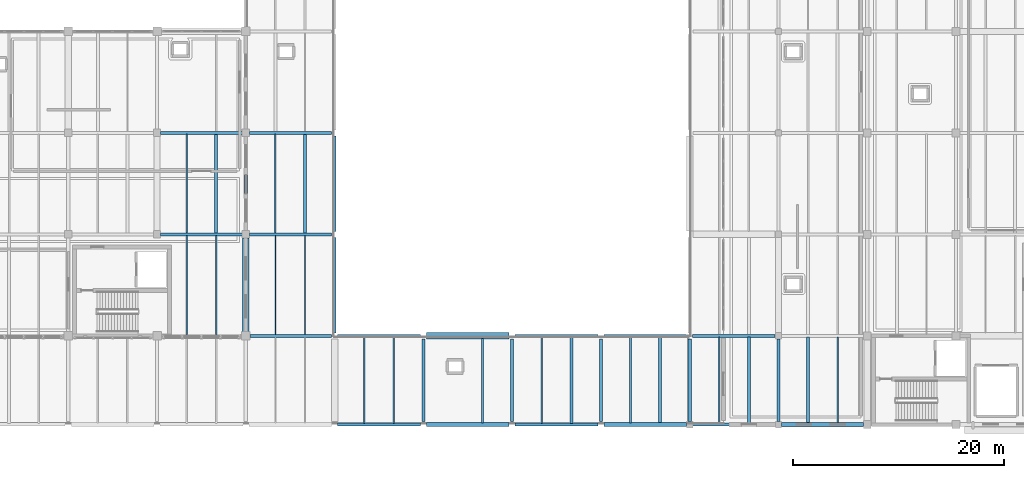
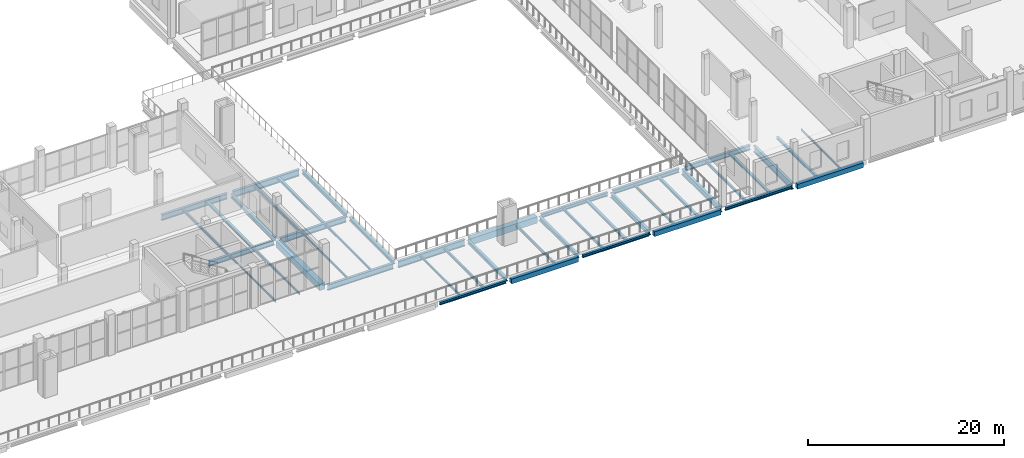
# One storey, part 21 of 77: 44 beams.
"""IFC4 building model written with IfcOpenShell, lengths in metres."""

from ifc_helpers import new_model, si_unit, direction, frame, origin, origin_2d, place, context, subcontext, project, spatial, rectangle, i_section, extrude, material, material_profile, profile_set, type_object, element, save


model = new_model("IFC4")

# Units and contexts
model_context = context("Model", 3, precision=1e-05, world=origin(), true_north=direction((0.0, 1.0)))
body_context = subcontext(model_context, "Body", "Model", "MODEL_VIEW")
ifc_project = project(units=[si_unit("LENGTHUNIT", "METRE"), si_unit("AREAUNIT", "SQUARE_METRE"), si_unit("VOLUMEUNIT", "CUBIC_METRE"), si_unit("PLANEANGLEUNIT", "RADIAN"), si_unit("MASSUNIT", "GRAM", prefix="KILO")], contexts=[model_context])

# Site, building, storey
site_placement = place(None, origin())
site = spatial("IfcSite", under=ifc_project, at=site_placement, CompositionType="ELEMENT")
building_placement = place(site_placement, origin())
building = spatial("IfcBuilding", under=site, at=building_placement, Name="Zulmaris Art Gallery", CompositionType="ELEMENT")
storey_placement = place(building_placement, frame((0.0, 0.0, 15.60009765625)))
storey = spatial("IfcBuildingStorey", under=building, at=storey_placement, Name="L03", CompositionType="ELEMENT", Elevation=15.60009765625)

# Beams
ifc_material_1 = material(Name="Steel S355J2", Category="steel")
ifc_material_profile_1 = material_profile(ifc_material_1, i_section(OverallWidth=0.300048828125, OverallDepth=0.43994140625, WebThickness=0.011474609375, FlangeThickness=0.02099609375, FilletRadius=0.027099609375, at=origin_2d()), Name="HEA 450")
ifc_profile_set_1 = profile_set([ifc_material_profile_1], Name="Steel S355J2")
beam_type_1 = type_object("IfcBeamType", Name="BEAM-BM10", PredefinedType="BEAM", material=ifc_profile_set_1)
beam_1_placement = place(storey_placement, frame((108.284912109375, 21.60009765625, -0.6201171875), z_axis=(1.0, 0.0, 0.0), x_axis=(0.0, 1.0, 0.0)))
element("IfcBeam", 1, at=beam_1_placement, inside=storey, type_object=beam_type_1, Name="L03 X-girder (108.0..116.4, y=21.6)", PredefinedType="BEAM", context=body_context, shape_type="SweptSolid", body=[
    extrude(i_section(OverallWidth=0.300048828125, OverallDepth=0.43994140625, WebThickness=0.011474609375, FlangeThickness=0.02099609375, FilletRadius=0.027099609375, at=origin_2d()), origin(), (0.0, 0.0, 1.0), 7.830078125),
])
beam_2_placement = place(storey_placement, frame((82.800048828125, 31.534912109375, -0.6201171875), z_axis=(0.0, 1.0, 0.0), x_axis=(-1.0, 0.0, 0.0)))
element("IfcBeam", 2, at=beam_2_placement, inside=storey, type_object=beam_type_1, Name="L03 Y-girder (x=82.8, 31.2..40.8)", PredefinedType="BEAM", context=body_context, shape_type="SweptSolid", body=[
    extrude(i_section(OverallWidth=0.300048828125, OverallDepth=0.43994140625, WebThickness=0.011474609375, FlangeThickness=0.02099609375, FilletRadius=0.027099609375, at=origin_2d()), origin(), (0.0, 0.0, 1.0), 8.93017578125),
])
beam_3_placement = place(storey_placement, frame((91.199951171875, 21.885009765625, -0.6201171875), z_axis=(0.0, 1.0, 0.0), x_axis=(-1.0, 0.0, 0.0)))
element("IfcBeam", 3, at=beam_3_placement, inside=storey, type_object=beam_type_1, Name="L03 Y-girder (x=91.2, 21.6..31.2)", PredefinedType="BEAM", context=body_context, shape_type="SweptSolid", body=[
    extrude(i_section(OverallWidth=0.300048828125, OverallDepth=0.43994140625, WebThickness=0.011474609375, FlangeThickness=0.02099609375, FilletRadius=0.027099609375, at=origin_2d()), origin(), (0.0, 0.0, 1.0), 9.030029296875),
])
beam_4_placement = place(storey_placement, frame((99.60009765625, 13.485107421875, -0.6201171875), z_axis=(0.0, 1.0, 0.0), x_axis=(-1.0, 0.0, 0.0)))
element("IfcBeam", 4, at=beam_4_placement, inside=storey, type_object=beam_type_1, Name="L03 Y-girder (x=99.6, 13.2..21.6)", PredefinedType="BEAM", context=body_context, shape_type="SweptSolid", body=[
    extrude(i_section(OverallWidth=0.300048828125, OverallDepth=0.43994140625, WebThickness=0.011474609375, FlangeThickness=0.02099609375, FilletRadius=0.027099609375, at=origin_2d()), origin(), (0.0, 0.0, 1.0), 7.829833984375),
])
ifc_material_profile_2 = material_profile(ifc_material_1, i_section(OverallWidth=0.300048828125, OverallDepth=0.489990234375, WebThickness=0.011962890625, FlangeThickness=0.02294921875, FilletRadius=0.027099609375, at=origin_2d()), Name="HEA 500")
ifc_profile_set_2 = profile_set([ifc_material_profile_2], Name="Steel S355J2")
beam_type_2 = type_object("IfcBeamType", Name="BEAM-BM11", PredefinedType="BEAM", material=ifc_profile_set_2)
beam_5_placement = place(storey_placement, frame((116.68505859375, 21.60009765625, -0.614990234375), z_axis=(1.0, 0.0, 0.0), x_axis=(0.0, 1.0, 0.0)))
element("IfcBeam", 5, at=beam_5_placement, inside=storey, type_object=beam_type_2, Name="L03 X-girder (116.4..124.8, y=21.6)", PredefinedType="BEAM", context=body_context, shape_type="SweptSolid", body=[
    extrude(i_section(OverallWidth=0.300048828125, OverallDepth=0.489990234375, WebThickness=0.011962890625, FlangeThickness=0.02294921875, FilletRadius=0.027099609375, at=origin_2d()), origin(), (0.0, 0.0, 1.0), 7.829833984375),
])
beam_6_placement = place(storey_placement, frame((91.199951171875, 31.485107421875, -0.614990234375), z_axis=(0.0, 1.0, 0.0), x_axis=(-1.0, 0.0, 0.0)))
element("IfcBeam", 6, at=beam_6_placement, inside=storey, type_object=beam_type_2, Name="L03 Y-girder (x=91.2, 31.2..40.8)", PredefinedType="BEAM", context=body_context, shape_type="SweptSolid", body=[
    extrude(i_section(OverallWidth=0.300048828125, OverallDepth=0.489990234375, WebThickness=0.011962890625, FlangeThickness=0.02294921875, FilletRadius=0.027099609375, at=origin_2d()), origin(), (0.0, 0.0, 1.0), 9.02978515625),
])
beam_7_placement = place(storey_placement, frame((108.0, 13.485107421875, -0.614990234375), z_axis=(0.0, 1.0, 0.0), x_axis=(-1.0, 0.0, 0.0)))
element("IfcBeam", 7, at=beam_7_placement, inside=storey, type_object=beam_type_2, Name="L03 Y-girder (x=108.0, 13.2..21.6)", PredefinedType="BEAM", context=body_context, shape_type="SweptSolid", body=[
    extrude(i_section(OverallWidth=0.300048828125, OverallDepth=0.489990234375, WebThickness=0.011962890625, FlangeThickness=0.02294921875, FilletRadius=0.027099609375, at=origin_2d()), origin(), (0.0, 0.0, 1.0), 7.829833984375),
])
ifc_material_profile_3 = material_profile(ifc_material_1, i_section(OverallWidth=0.300048828125, OverallDepth=0.60009765625, WebThickness=0.015380859375, FlangeThickness=0.030029296875, FilletRadius=0.027099609375, at=origin_2d()), Name="HEB 600")
ifc_profile_set_3 = profile_set([ifc_material_profile_3], Name="Steel S355J2")
beam_type_3 = type_object("IfcBeamType", Name="BEAM-BM15", PredefinedType="BEAM", material=ifc_profile_set_3)
beam_8_placement = place(storey_placement, frame((125.0849609375, 21.60009765625, -0.670166015625), z_axis=(1.0, 0.0, 0.0), x_axis=(0.0, 1.0, 0.0)))
element("IfcBeam", 8, at=beam_8_placement, inside=storey, type_object=beam_type_3, Name="L03 X-girder (124.8..133.2, y=21.6)", PredefinedType="BEAM", context=body_context, shape_type="SweptSolid", body=[
    extrude(i_section(OverallWidth=0.300048828125, OverallDepth=0.60009765625, WebThickness=0.015380859375, FlangeThickness=0.030029296875, FilletRadius=0.027099609375, at=origin_2d()), origin(), (0.0, 0.0, 1.0), 7.804931640625),
])
beam_9_placement = place(storey_placement, frame((74.735107421875, 31.199951171875, -0.670166015625), z_axis=(1.0, 0.0, 0.0), x_axis=(0.0, 1.0, 0.0)))
element("IfcBeam", 9, at=beam_9_placement, inside=storey, type_object=beam_type_3, Name="L03 X-girder (74.4..82.8, y=31.2)", PredefinedType="BEAM", context=body_context, shape_type="SweptSolid", body=[
    extrude(i_section(OverallWidth=0.300048828125, OverallDepth=0.60009765625, WebThickness=0.015380859375, FlangeThickness=0.030029296875, FilletRadius=0.027099609375, at=origin_2d()), origin(), (0.0, 0.0, 1.0), 7.72998046875),
])
beam_10_placement = place(storey_placement, frame((116.39990234375, 13.485107421875, -0.670166015625), z_axis=(0.0, 1.0, 0.0), x_axis=(-1.0, 0.0, 0.0)))
element("IfcBeam", 10, at=beam_10_placement, inside=storey, type_object=beam_type_3, Name="L03 Y-girder (x=116.4, 13.2..21.6)", PredefinedType="BEAM", context=body_context, shape_type="SweptSolid", body=[
    extrude(i_section(OverallWidth=0.300048828125, OverallDepth=0.60009765625, WebThickness=0.015380859375, FlangeThickness=0.030029296875, FilletRadius=0.027099609375, at=origin_2d()), origin(), (0.0, 0.0, 1.0), 7.829833984375),
])
ifc_material_profile_4 = material_profile(ifc_material_1, i_section(OverallWidth=0.300048828125, OverallDepth=0.699951171875, WebThickness=0.01708984375, FlangeThickness=0.031982421875, FilletRadius=0.027099609375, at=origin_2d()), Name="HEB 700")
ifc_profile_set_4 = profile_set([ifc_material_profile_4], Name="Steel S355J2")
beam_type_4 = type_object("IfcBeamType", Name="BEAM-BM16", PredefinedType="BEAM", material=ifc_profile_set_4)
beam_11_placement = place(storey_placement, frame((83.18505859375, 21.60009765625, -0.72021484375), z_axis=(1.0, 0.0, 0.0), x_axis=(0.0, 1.0, 0.0)))
element("IfcBeam", 11, at=beam_11_placement, inside=storey, type_object=beam_type_4, Name="L03 X-girder (82.8..91.2, y=21.6)", PredefinedType="BEAM", context=body_context, shape_type="SweptSolid", body=[
    extrude(i_section(OverallWidth=0.300048828125, OverallDepth=0.699951171875, WebThickness=0.01708984375, FlangeThickness=0.031982421875, FilletRadius=0.027099609375, at=origin_2d()), origin(), (0.0, 0.0, 1.0), 7.72998046875),
])
beam_12_placement = place(storey_placement, frame((83.135009765625, 31.199951171875, -0.72021484375), z_axis=(1.0, 0.0, 0.0), x_axis=(0.0, 1.0, 0.0)))
element("IfcBeam", 12, at=beam_12_placement, inside=storey, type_object=beam_type_4, Name="L03 X-girder (82.8..91.2, y=31.2)", PredefinedType="BEAM", context=body_context, shape_type="SweptSolid", body=[
    extrude(i_section(OverallWidth=0.300048828125, OverallDepth=0.699951171875, WebThickness=0.01708984375, FlangeThickness=0.031982421875, FilletRadius=0.027099609375, at=origin_2d()), origin(), (0.0, 0.0, 1.0), 7.780029296875),
])
beam_13_placement = place(storey_placement, frame((74.735107421875, 40.800048828125, -0.72021484375), z_axis=(1.0, 0.0, 0.0), x_axis=(0.0, 1.0, 0.0)))
element("IfcBeam", 13, at=beam_13_placement, inside=storey, type_object=beam_type_4, Name="L03 X-girder (74.4..82.8, y=40.8)", PredefinedType="BEAM", context=body_context, shape_type="SweptSolid", body=[
    extrude(i_section(OverallWidth=0.300048828125, OverallDepth=0.699951171875, WebThickness=0.01708984375, FlangeThickness=0.031982421875, FilletRadius=0.027099609375, at=origin_2d()), origin(), (0.0, 0.0, 1.0), 7.72998046875),
])
beam_14_placement = place(storey_placement, frame((124.800048828125, 13.485107421875, -0.72021484375), z_axis=(0.0, 1.0, 0.0), x_axis=(-1.0, 0.0, 0.0)))
element("IfcBeam", 14, at=beam_14_placement, inside=storey, type_object=beam_type_4, Name="L03 Y-girder (x=124.8, 13.2..21.6)", PredefinedType="BEAM", context=body_context, shape_type="SweptSolid", body=[
    extrude(i_section(OverallWidth=0.300048828125, OverallDepth=0.699951171875, WebThickness=0.01708984375, FlangeThickness=0.031982421875, FilletRadius=0.027099609375, at=origin_2d()), origin(), (0.0, 0.0, 1.0), 7.829833984375),
])
ifc_material_profile_5 = material_profile(ifc_material_1, i_section(OverallWidth=0.300048828125, OverallDepth=0.800048828125, WebThickness=0.017578125, FlangeThickness=0.032958984375, FilletRadius=0.030029296875, at=origin_2d()), Name="HEB 800")
ifc_profile_set_5 = profile_set([ifc_material_profile_5], Name="Steel S355J2")
beam_type_5 = type_object("IfcBeamType", Name="BEAM-BM17", PredefinedType="BEAM", material=ifc_profile_set_5)
beam_15_placement = place(storey_placement, frame((91.485107421875, 21.60009765625, -0.77001953125), z_axis=(1.0, 0.0, 0.0), x_axis=(0.0, 1.0, 0.0)))
element("IfcBeam", 15, at=beam_15_placement, inside=storey, type_object=beam_type_5, Name="L03 X-girder (91.2..99.6, y=21.6)", PredefinedType="BEAM", context=body_context, shape_type="SweptSolid", body=[
    extrude(i_section(OverallWidth=0.300048828125, OverallDepth=0.800048828125, WebThickness=0.017578125, FlangeThickness=0.032958984375, FilletRadius=0.030029296875, at=origin_2d()), origin(), (0.0, 0.0, 1.0), 7.829833984375),
])
for number, where, z_axis, x_axis, name in (
    (16, (83.135009765625, 40.800048828125, -0.77001953125), (1.0, 0.0, 0.0), (0.0, 1.0, 0.0), "L03 X-girder (82.8..91.2, y=40.8)"),
    (17, (133.199951171875, 13.510009765625, -0.77001953125), (0.0, 1.0, 0.0), (-1.0, 0.0, 0.0), "L03 Y-girder (x=133.2, 13.2..21.6)"),
):
    element("IfcBeam", number, at=place(storey_placement, frame(where, z_axis=z_axis, x_axis=x_axis)), inside=storey, type_object=beam_type_5, Name=name, PredefinedType="BEAM", context=body_context, shape_type="SweptSolid", body=[
        extrude(i_section(OverallWidth=0.300048828125, OverallDepth=0.800048828125, WebThickness=0.017578125, FlangeThickness=0.032958984375, FilletRadius=0.030029296875, at=origin_2d()), origin(), (0.0, 0.0, 1.0), 7.780029296875),
    ])
ifc_material_2 = material(Name="Concrete C40/50", Category="concrete")
ifc_material_profile_6 = material_profile(ifc_material_2, rectangle(XDim=0.60009765625, YDim=0.800048828125, at=origin_2d()), Name="RC 600x800")
ifc_profile_set_6 = profile_set([ifc_material_profile_6], Name="Concrete C40/50")
beam_type_6 = type_object("IfcBeamType", Name="BEAM-BM27", PredefinedType="BEAM", material=ifc_profile_set_6)
beam_16_placement = place(storey_placement, frame((99.885009765625, 21.60009765625, -0.77001953125), z_axis=(1.0, 0.0, 0.0), x_axis=(0.0, 1.0, 0.0)))
element("IfcBeam", 18, at=beam_16_placement, inside=storey, type_object=beam_type_6, Name="L03 X-girder (99.6..108.0, y=21.6)", PredefinedType="BEAM", context=body_context, shape_type="SweptSolid", body=[
    extrude(rectangle(XDim=0.60009765625, YDim=0.800048828125, at=origin_2d()), origin(), (0.0, 0.0, 1.0), 7.830078125),
])
beam_17_placement = place(storey_placement, frame((82.800048828125, 21.985107421875, -0.77001953125), z_axis=(0.0, 1.0, 0.0), x_axis=(-1.0, 0.0, 0.0)))
element("IfcBeam", 19, at=beam_17_placement, inside=storey, type_object=beam_type_6, Name="L03 Y-girder (x=82.8, 21.6..31.2)", PredefinedType="BEAM", context=body_context, shape_type="SweptSolid", body=[
    extrude(rectangle(XDim=0.60009765625, YDim=0.800048828125, at=origin_2d()), origin(), (0.0, 0.0, 1.0), 8.8798828125),
])
ifc_material_profile_7 = material_profile(ifc_material_1, i_section(OverallWidth=0.1201171875, OverallDepth=0.239990234375, WebThickness=0.006103515625, FlangeThickness=0.009765625, FilletRadius=0.014892578125, at=origin_2d()), Name="IPE 240")
ifc_profile_set_7 = profile_set([ifc_material_profile_7], Name="Steel S355J2")
beam_type_7 = type_object("IfcBeamType", Name="BEAM-JS01", PredefinedType="JOIST", material=ifc_profile_set_7)
for number, where, z_axis, x_axis, name in (
    (20, (77.199951171875, 21.72509765625, -0.489990234375), (0.0, 1.0, 0.0), (-1.0, 0.0, 0.0), "L03 secondary joist at x=77.2"),
    (21, (85.60009765625, 21.72509765625, -0.489990234375), (0.0, 1.0, 0.0), (-1.0, 0.0, 0.0), "L03 secondary joist at x=85.6"),
):
    element("IfcBeam", number, at=place(storey_placement, frame(where, z_axis=z_axis, x_axis=x_axis)), inside=storey, type_object=beam_type_7, Name=name, PredefinedType="JOIST", context=body_context, shape_type="SweptSolid", body=[
        extrude(i_section(OverallWidth=0.1201171875, OverallDepth=0.239990234375, WebThickness=0.006103515625, FlangeThickness=0.009765625, FilletRadius=0.014892578125, at=origin_2d()), origin(), (0.0, 0.0, 1.0), 9.349853515625),
    ])
beam_18_placement = place(storey_placement, frame((138.800048828125, 13.375, -0.489990234375), z_axis=(0.0, 1.0, 0.0), x_axis=(-1.0, 0.0, 0.0)))
element("IfcBeam", 22, at=beam_18_placement, inside=storey, type_object=beam_type_7, Name="L03 secondary joist at x=138.8", PredefinedType="JOIST", context=body_context, shape_type="SweptSolid", body=[
    extrude(i_section(OverallWidth=0.1201171875, OverallDepth=0.239990234375, WebThickness=0.006103515625, FlangeThickness=0.009765625, FilletRadius=0.014892578125, at=origin_2d()), origin(), (0.0, 0.0, 1.0), 8.10009765625),
])
ifc_material_profile_8 = material_profile(ifc_material_1, i_section(OverallWidth=0.135009765625, OverallDepth=0.27001953125, WebThickness=0.006591796875, FlangeThickness=0.01025390625, FilletRadius=0.014892578125, at=origin_2d()), Name="IPE 270")
ifc_profile_set_8 = profile_set([ifc_material_profile_8], Name="Steel S355J2")
beam_type_8 = type_object("IfcBeamType", Name="BEAM-JS02", PredefinedType="JOIST", material=ifc_profile_set_8)
for number, where, z_axis, x_axis, name in (
    (23, (80.0, 21.72509765625, -0.505126953125), (0.0, 1.0, 0.0), (-1.0, 0.0, 0.0), "L03 secondary joist at x=80.0"),
    (24, (88.39990234375, 21.72509765625, -0.505126953125), (0.0, 1.0, 0.0), (-1.0, 0.0, 0.0), "L03 secondary joist at x=88.4"),
):
    element("IfcBeam", number, at=place(storey_placement, frame(where, z_axis=z_axis, x_axis=x_axis)), inside=storey, type_object=beam_type_8, Name=name, PredefinedType="JOIST", context=body_context, shape_type="SweptSolid", body=[
        extrude(i_section(OverallWidth=0.135009765625, OverallDepth=0.27001953125, WebThickness=0.006591796875, FlangeThickness=0.01025390625, FilletRadius=0.014892578125, at=origin_2d()), origin(), (0.0, 0.0, 1.0), 9.349853515625),
    ])
beam_19_placement = place(storey_placement, frame((94.0, 13.324951171875, -0.505126953125), z_axis=(0.0, 1.0, 0.0), x_axis=(-1.0, 0.0, 0.0)))
element("IfcBeam", 25, at=beam_19_placement, inside=storey, type_object=beam_type_8, Name="L03 secondary joist at x=94.0", PredefinedType="JOIST", context=body_context, shape_type="SweptSolid", body=[
    extrude(i_section(OverallWidth=0.135009765625, OverallDepth=0.27001953125, WebThickness=0.006591796875, FlangeThickness=0.01025390625, FilletRadius=0.014892578125, at=origin_2d()), origin(), (0.0, 0.0, 1.0), 8.150146484375),
])
ifc_material_profile_9 = material_profile(ifc_material_1, i_section(OverallWidth=0.159912109375, OverallDepth=0.330078125, WebThickness=0.007568359375, FlangeThickness=0.011474609375, FilletRadius=0.01806640625, at=origin_2d()), Name="IPE 330")
ifc_profile_set_9 = profile_set([ifc_material_profile_9], Name="Steel S355J2")
beam_type_9 = type_object("IfcBeamType", Name="BEAM-JS03", PredefinedType="JOIST", material=ifc_profile_set_9)
for number, where, z_axis, x_axis, name in (
    (26, (77.199951171875, 31.324951171875, -0.53515625), (0.0, 1.0, 0.0), (-1.0, 0.0, 0.0), "L03 secondary joist at x=77.2"),
    (27, (85.60009765625, 31.324951171875, -0.53515625), (0.0, 1.0, 0.0), (-1.0, 0.0, 0.0), "L03 secondary joist at x=85.6"),
):
    element("IfcBeam", number, at=place(storey_placement, frame(where, z_axis=z_axis, x_axis=x_axis)), inside=storey, type_object=beam_type_9, Name=name, PredefinedType="JOIST", context=body_context, shape_type="SweptSolid", body=[
        extrude(i_section(OverallWidth=0.159912109375, OverallDepth=0.330078125, WebThickness=0.007568359375, FlangeThickness=0.011474609375, FilletRadius=0.01806640625, at=origin_2d()), origin(), (0.0, 0.0, 1.0), 9.35009765625),
    ])
beam_20_placement = place(storey_placement, frame((96.800048828125, 13.324951171875, -0.53515625), z_axis=(0.0, 1.0, 0.0), x_axis=(-1.0, 0.0, 0.0)))
element("IfcBeam", 28, at=beam_20_placement, inside=storey, type_object=beam_type_9, Name="L03 secondary joist at x=96.8", PredefinedType="JOIST", context=body_context, shape_type="SweptSolid", body=[
    extrude(i_section(OverallWidth=0.159912109375, OverallDepth=0.330078125, WebThickness=0.007568359375, FlangeThickness=0.011474609375, FilletRadius=0.01806640625, at=origin_2d()), origin(), (0.0, 0.0, 1.0), 8.150146484375),
])
beam_21_placement = place(storey_placement, frame((105.199951171875, 13.375, -0.53515625), z_axis=(0.0, 1.0, 0.0), x_axis=(-1.0, 0.0, 0.0)))
element("IfcBeam", 29, at=beam_21_placement, inside=storey, type_object=beam_type_9, Name="L03 secondary joist at x=105.2", PredefinedType="JOIST", context=body_context, shape_type="SweptSolid", body=[
    extrude(i_section(OverallWidth=0.159912109375, OverallDepth=0.330078125, WebThickness=0.007568359375, FlangeThickness=0.011474609375, FilletRadius=0.01806640625, at=origin_2d()), origin(), (0.0, 0.0, 1.0), 7.949951171875),
])
beam_22_placement = place(storey_placement, frame((110.800048828125, 13.324951171875, -0.53515625), z_axis=(0.0, 1.0, 0.0), x_axis=(-1.0, 0.0, 0.0)))
element("IfcBeam", 30, at=beam_22_placement, inside=storey, type_object=beam_type_9, Name="L03 secondary joist at x=110.8", PredefinedType="JOIST", context=body_context, shape_type="SweptSolid", body=[
    extrude(i_section(OverallWidth=0.159912109375, OverallDepth=0.330078125, WebThickness=0.007568359375, FlangeThickness=0.011474609375, FilletRadius=0.01806640625, at=origin_2d()), origin(), (0.0, 0.0, 1.0), 8.150146484375),
])
beam_23_placement = place(storey_placement, frame((119.199951171875, 13.375, -0.53515625), z_axis=(0.0, 1.0, 0.0), x_axis=(-1.0, 0.0, 0.0)))
element("IfcBeam", 31, at=beam_23_placement, inside=storey, type_object=beam_type_9, Name="L03 secondary joist at x=119.2", PredefinedType="JOIST", context=body_context, shape_type="SweptSolid", body=[
    extrude(i_section(OverallWidth=0.159912109375, OverallDepth=0.330078125, WebThickness=0.007568359375, FlangeThickness=0.011474609375, FilletRadius=0.01806640625, at=origin_2d()), origin(), (0.0, 0.0, 1.0), 8.10009765625),
])
beam_24_placement = place(storey_placement, frame((127.60009765625, 13.324951171875, -0.53515625), z_axis=(0.0, 1.0, 0.0), x_axis=(-1.0, 0.0, 0.0)))
element("IfcBeam", 32, at=beam_24_placement, inside=storey, type_object=beam_type_9, Name="L03 secondary joist at x=127.6", PredefinedType="JOIST", context=body_context, shape_type="SweptSolid", body=[
    extrude(i_section(OverallWidth=0.159912109375, OverallDepth=0.330078125, WebThickness=0.007568359375, FlangeThickness=0.011474609375, FilletRadius=0.01806640625, at=origin_2d()), origin(), (0.0, 0.0, 1.0), 8.150146484375),
])
ifc_material_profile_10 = material_profile(ifc_material_1, i_section(OverallWidth=0.280029296875, OverallDepth=0.27001953125, WebThickness=0.008056640625, FlangeThickness=0.012939453125, FilletRadius=0.02392578125, at=origin_2d()), Name="HEA 280")
ifc_profile_set_10 = profile_set([ifc_material_profile_10], Name="Steel S355J2")
beam_type_10 = type_object("IfcBeamType", Name="BEAM-JS04", PredefinedType="JOIST", material=ifc_profile_set_10)
for number, where, z_axis, x_axis, name in (
    (33, (80.0, 31.324951171875, -0.505126953125), (0.0, 1.0, 0.0), (-1.0, 0.0, 0.0), "L03 secondary joist at x=80.0"),
    (34, (88.39990234375, 31.324951171875, -0.505126953125), (0.0, 1.0, 0.0), (-1.0, 0.0, 0.0), "L03 secondary joist at x=88.4"),
):
    element("IfcBeam", number, at=place(storey_placement, frame(where, z_axis=z_axis, x_axis=x_axis)), inside=storey, type_object=beam_type_10, Name=name, PredefinedType="JOIST", context=body_context, shape_type="SweptSolid", body=[
        extrude(i_section(OverallWidth=0.280029296875, OverallDepth=0.27001953125, WebThickness=0.008056640625, FlangeThickness=0.012939453125, FilletRadius=0.02392578125, at=origin_2d()), origin(), (0.0, 0.0, 1.0), 9.35009765625),
    ])
beam_25_placement = place(storey_placement, frame((113.60009765625, 13.324951171875, -0.505126953125), z_axis=(0.0, 1.0, 0.0), x_axis=(-1.0, 0.0, 0.0)))
element("IfcBeam", 35, at=beam_25_placement, inside=storey, type_object=beam_type_10, Name="L03 secondary joist at x=113.6", PredefinedType="JOIST", context=body_context, shape_type="SweptSolid", body=[
    extrude(i_section(OverallWidth=0.280029296875, OverallDepth=0.27001953125, WebThickness=0.008056640625, FlangeThickness=0.012939453125, FilletRadius=0.02392578125, at=origin_2d()), origin(), (0.0, 0.0, 1.0), 8.150146484375),
])
beam_26_placement = place(storey_placement, frame((122.0, 13.375, -0.505126953125), z_axis=(0.0, 1.0, 0.0), x_axis=(-1.0, 0.0, 0.0)))
element("IfcBeam", 36, at=beam_26_placement, inside=storey, type_object=beam_type_10, Name="L03 secondary joist at x=122.0", PredefinedType="JOIST", context=body_context, shape_type="SweptSolid", body=[
    extrude(i_section(OverallWidth=0.280029296875, OverallDepth=0.27001953125, WebThickness=0.008056640625, FlangeThickness=0.012939453125, FilletRadius=0.02392578125, at=origin_2d()), origin(), (0.0, 0.0, 1.0), 8.10009765625),
])
beam_27_placement = place(storey_placement, frame((130.39990234375, 13.324951171875, -0.505126953125), z_axis=(0.0, 1.0, 0.0), x_axis=(-1.0, 0.0, 0.0)))
element("IfcBeam", 37, at=beam_27_placement, inside=storey, type_object=beam_type_10, Name="L03 secondary joist at x=130.4", PredefinedType="JOIST", context=body_context, shape_type="SweptSolid", body=[
    extrude(i_section(OverallWidth=0.280029296875, OverallDepth=0.27001953125, WebThickness=0.008056640625, FlangeThickness=0.012939453125, FilletRadius=0.02392578125, at=origin_2d()), origin(), (0.0, 0.0, 1.0), 8.150146484375),
])
beam_28_placement = place(storey_placement, frame((136.0, 13.375, -0.505126953125), z_axis=(0.0, 1.0, 0.0), x_axis=(-1.0, 0.0, 0.0)))
element("IfcBeam", 38, at=beam_28_placement, inside=storey, type_object=beam_type_10, Name="L03 secondary joist at x=136.0", PredefinedType="JOIST", context=body_context, shape_type="SweptSolid", body=[
    extrude(i_section(OverallWidth=0.280029296875, OverallDepth=0.27001953125, WebThickness=0.008056640625, FlangeThickness=0.012939453125, FilletRadius=0.02392578125, at=origin_2d()), origin(), (0.0, 0.0, 1.0), 8.10009765625),
])
ifc_material_profile_11 = material_profile(ifc_material_1, i_section(OverallWidth=0.300048828125, OverallDepth=0.35009765625, WebThickness=0.010009765625, FlangeThickness=0.017578125, FilletRadius=0.027099609375, at=origin_2d()), Name="HEA 360")
ifc_profile_set_11 = profile_set([ifc_material_profile_11], Name="Steel S355J2")
beam_type_11 = type_object("IfcBeamType", Name="BEAM-SP01", PredefinedType="SPANDREL", material=ifc_profile_set_11)
beam_29_placement = place(storey_placement, frame((91.485107421875, 13.199951171875, -0.545166015625), z_axis=(1.0, 0.0, 0.0), x_axis=(0.0, 1.0, 0.0)))
element("IfcBeam", 39, at=beam_29_placement, inside=storey, type_object=beam_type_11, Name="L03 X-girder (91.2..99.6, y=13.2)", PredefinedType="SPANDREL", context=body_context, shape_type="SweptSolid", body=[
    extrude(i_section(OverallWidth=0.300048828125, OverallDepth=0.35009765625, WebThickness=0.010009765625, FlangeThickness=0.017578125, FilletRadius=0.027099609375, at=origin_2d()), origin(), (0.0, 0.0, 1.0), 7.829833984375),
])
beam_30_placement = place(storey_placement, frame((108.284912109375, 13.199951171875, -0.545166015625), z_axis=(1.0, 0.0, 0.0), x_axis=(0.0, 1.0, 0.0)))
element("IfcBeam", 40, at=beam_30_placement, inside=storey, type_object=beam_type_11, Name="L03 X-girder (108.0..116.4, y=13.2)", PredefinedType="SPANDREL", context=body_context, shape_type="SweptSolid", body=[
    extrude(i_section(OverallWidth=0.300048828125, OverallDepth=0.35009765625, WebThickness=0.010009765625, FlangeThickness=0.017578125, FilletRadius=0.027099609375, at=origin_2d()), origin(), (0.0, 0.0, 1.0), 7.830078125),
])
beam_31_placement = place(storey_placement, frame((125.0849609375, 13.199951171875, -0.545166015625), z_axis=(1.0, 0.0, 0.0), x_axis=(0.0, 1.0, 0.0)))
element("IfcBeam", 41, at=beam_31_placement, inside=storey, type_object=beam_type_11, Name="L03 X-girder (124.8..133.2, y=13.2)", PredefinedType="SPANDREL", context=body_context, shape_type="SweptSolid", body=[
    extrude(i_section(OverallWidth=0.300048828125, OverallDepth=0.35009765625, WebThickness=0.010009765625, FlangeThickness=0.017578125, FilletRadius=0.027099609375, at=origin_2d()), origin(), (0.0, 0.0, 1.0), 7.804931640625),
])
ifc_material_profile_12 = material_profile(ifc_material_2, rectangle(XDim=0.39990234375, YDim=0.60009765625, at=origin_2d()), Name="RC 400x600")
ifc_profile_set_12 = profile_set([ifc_material_profile_12], Name="Concrete C40/50")
beam_type_12 = type_object("IfcBeamType", Name="BEAM-SP03", PredefinedType="SPANDREL", material=ifc_profile_set_12)
beam_32_placement = place(storey_placement, frame((99.885009765625, 13.199951171875, -0.670166015625), z_axis=(1.0, 0.0, 0.0), x_axis=(0.0, 1.0, 0.0)))
element("IfcBeam", 42, at=beam_32_placement, inside=storey, type_object=beam_type_12, Name="L03 X-girder (99.6..108.0, y=13.2)", PredefinedType="SPANDREL", context=body_context, shape_type="SweptSolid", body=[
    extrude(rectangle(XDim=0.39990234375, YDim=0.60009765625, at=origin_2d()), origin(), (0.0, 0.0, 1.0), 7.830078125),
])
beam_33_placement = place(storey_placement, frame((116.68505859375, 13.199951171875, -0.670166015625), z_axis=(1.0, 0.0, 0.0), x_axis=(0.0, 1.0, 0.0)))
element("IfcBeam", 43, at=beam_33_placement, inside=storey, type_object=beam_type_12, Name="L03 X-girder (116.4..124.8, y=13.2)", PredefinedType="SPANDREL", context=body_context, shape_type="SweptSolid", body=[
    extrude(rectangle(XDim=0.39990234375, YDim=0.60009765625, at=origin_2d()), origin(), (0.0, 0.0, 1.0), 7.829833984375),
])
beam_34_placement = place(storey_placement, frame((133.510009765625, 13.199951171875, -0.670166015625), z_axis=(1.0, 0.0, 0.0), x_axis=(0.0, 1.0, 0.0)))
element("IfcBeam", 44, at=beam_34_placement, inside=storey, type_object=beam_type_12, Name="L03 X-girder (133.2..141.6, y=13.2)", PredefinedType="SPANDREL", context=body_context, shape_type="SweptSolid", body=[
    extrude(rectangle(XDim=0.39990234375, YDim=0.60009765625, at=origin_2d()), origin(), (0.0, 0.0, 1.0), 7.72998046875),
])

save(model, "model.ifc")
